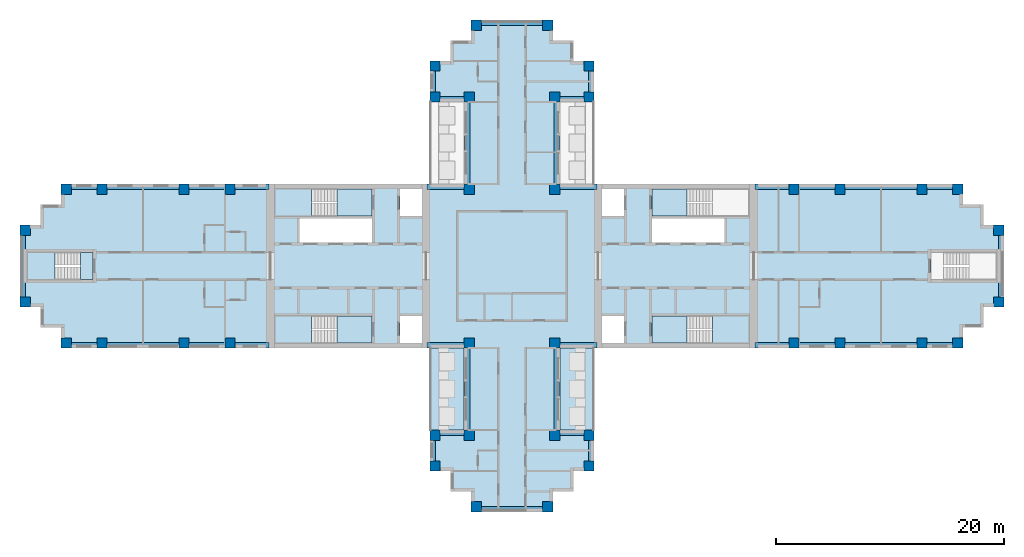
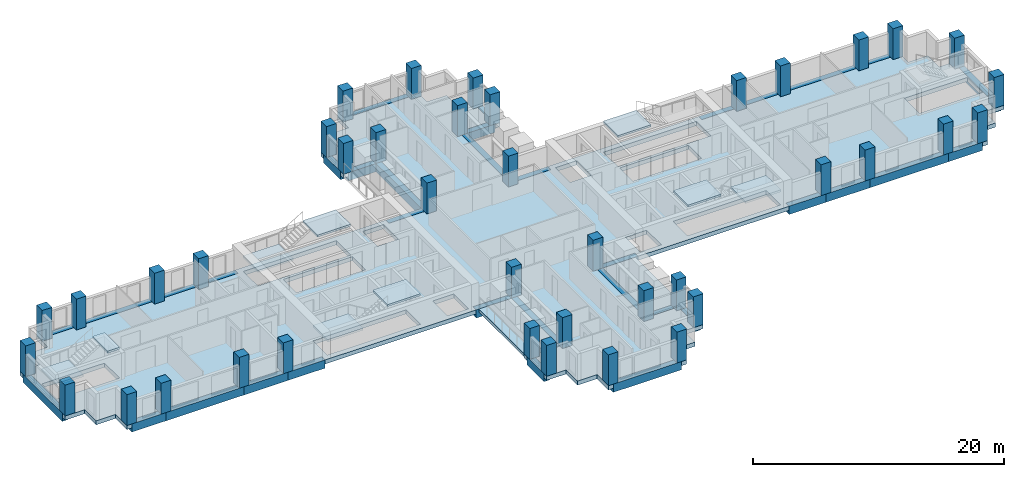
# One storey, part 1 of 11: 40 columns, 36 beams, 12 slabs, 5 elements without a shape of their own.
"""IFC4 building model written with IfcOpenShell, lengths in metres."""

import ifcopenshell
import ifcopenshell.guid

model = None  # the IFC model being written
_history = None  # IfcOwnerHistory: only IFC2X3 demands one
_inside = {}  # id of a spatial element -> (the spatial element, [elements in it])
_under = {}  # id of a project, library or spatial element -> (it, [spatial elements below it])
_declared = {}  # id of a project -> (the project, [libraries it declares])
_typed = {}  # id of a type object -> (the type object, [elements of that type])
_made_of = {}  # id of a material, layer set ... -> (it, [elements and type objects made of it])


def new_model(schema):
    """Start an empty IFC model of exactly this schema.

    Asked for "IFC4X3", IfcOpenShell would pick the latest addendum, in which some entities
    have other attributes; the version numbers below select the first issue.
    IFC2X3 requires an IfcOwnerHistory on every rooted entity: one is made here for all.
    """
    global model, _history
    if schema == "IFC4X3":
        model = ifcopenshell.file(schema_version=(4, 3, 0, 0))
    else:
        model = ifcopenshell.file(schema=schema)
    _inside.clear()
    _under.clear()
    _declared.clear()
    _typed.clear()
    _made_of.clear()
    _history = None
    if model.schema == "IFC2X3":
        org = make("IfcOrganization", Name="unknown")
        user = make(
            "IfcPersonAndOrganization",
            ThePerson=make("IfcPerson", FamilyName="unknown"),
            TheOrganization=org,
        )
        app = make(
            "IfcApplication",
            ApplicationDeveloper=org,
            Version="unknown",
            ApplicationFullName="unknown",
            ApplicationIdentifier="unknown",
        )
        _history = make(
            "IfcOwnerHistory",
            OwningUser=user,
            OwningApplication=app,
            ChangeAction="ADDED",
            CreationDate=0,
        )
    return model


def make(cls, **values):
    """One entity of the class cls with the attributes given. An attribute that is None is left unset."""
    return model.create_entity(
        cls, **{name: value for name, value in values.items() if value is not None}
    )


def rooted(cls, **values):
    """An entity with a GlobalId (a new one), such as an element, a storey or a relation."""
    return make(cls, GlobalId=ifcopenshell.guid.new(), OwnerHistory=_history, **values)


def si_unit(unit_type, name, prefix=None):
    """IfcSIUnit, for example si_unit("LENGTHUNIT", "METRE", prefix="MILLI")."""
    return make("IfcSIUnit", UnitType=unit_type, Prefix=prefix, Name=name)


def assignment(units):
    """IfcUnitAssignment: the units of a project."""
    return None if units is None else make("IfcUnitAssignment", Units=units)


def point(xyz):
    """IfcCartesianPoint."""
    return None if xyz is None else make("IfcCartesianPoint", Coordinates=xyz)


def direction(xyz):
    """IfcDirection."""
    return None if xyz is None else make("IfcDirection", DirectionRatios=xyz)


def frame(location, z_axis=None, x_axis=None):
    """IfcAxis2Placement3D, a coordinate frame: its origin and axes. An axis left out is left unset."""
    return make(
        "IfcAxis2Placement3D",
        Location=point(location),
        Axis=direction(z_axis),
        RefDirection=direction(x_axis),
    )


def frame_2d(location, x_axis=None):
    """IfcAxis2Placement2D, a coordinate frame in the plane: its origin and x axis."""
    return make(
        "IfcAxis2Placement2D", Location=point(location), RefDirection=direction(x_axis)
    )


def origin():
    """The frame at (0, 0, 0) with its axes left unset."""
    return frame((0.0, 0.0, 0.0))


def origin_2d():
    """The frame at (0, 0) in the plane with its x axis left unset."""
    return frame_2d((0.0, 0.0))


def place(relative_to, where):
    """IfcLocalPlacement: puts the frame where relative to a parent placement (None: the world)."""
    return make(
        "IfcLocalPlacement", PlacementRelTo=relative_to, RelativePlacement=where
    )


def context(
    kind, dimensions, precision=None, world=None, true_north=None, identifier=None
):
    """IfcGeometricRepresentationContext, for example the 3D "Model" context."""
    return make(
        "IfcGeometricRepresentationContext",
        ContextIdentifier=identifier,
        ContextType=kind,
        CoordinateSpaceDimension=dimensions,
        Precision=precision,
        WorldCoordinateSystem=world,
        TrueNorth=true_north,
    )


def subcontext(parent, identifier, kind, view, scale=None):
    """IfcGeometricRepresentationSubContext, for example "Body" below "Model"."""
    return make(
        "IfcGeometricRepresentationSubContext",
        ContextIdentifier=identifier,
        ContextType=kind,
        ParentContext=parent,
        TargetScale=scale,
        TargetView=view,
    )


def project(units=None, contexts=None):
    """IfcProject with its units and contexts."""
    return rooted(
        "IfcProject",
        Name="project",
        RepresentationContexts=contexts,
        UnitsInContext=assignment(units),
    )


def spatial(cls, under=None, at=None, **own):
    """A site, building, storey or space (cls), placed at a placement, below another one or the project."""
    s = rooted(cls, ObjectPlacement=at, **own)
    if under is not None:
        _under.setdefault(under.id(), (under, []))[1].append(s)
    return s


def polyline(points):
    """IfcPolyline through the points."""
    return make("IfcPolyline", Points=[point(p) for p in points])


def profile(cls, at=None, kind="AREA", **sizes):
    """A parametric profile (cls). Its sizes go by their IFC names, for example OverallWidth=200.0."""
    return make(cls, ProfileType=kind, Position=at, **sizes)


def rectangle(**sizes):
    """IfcRectangleProfileDef."""
    return profile("IfcRectangleProfileDef", **sizes)


def outline(outer, holes=None, kind="AREA"):
    """IfcArbitraryClosedProfileDef: a profile drawn as a closed curve; with holes, ...WithVoids."""
    if holes is None:
        return make("IfcArbitraryClosedProfileDef", ProfileType=kind, OuterCurve=outer)
    return make(
        "IfcArbitraryProfileDefWithVoids",
        ProfileType=kind,
        OuterCurve=outer,
        InnerCurves=holes,
    )


def extrude(swept, where, along, depth):
    """IfcExtrudedAreaSolid: the profile swept, set in the frame where, extruded along a direction by depth."""
    return make(
        "IfcExtrudedAreaSolid",
        SweptArea=swept,
        Position=where,
        ExtrudedDirection=direction(along),
        Depth=depth,
    )


def shape(context_of_items, identifier, shape_type, items):
    """IfcShapeRepresentation: the items that make up one representation, for example the "Body"."""
    return make(
        "IfcShapeRepresentation",
        ContextOfItems=context_of_items,
        RepresentationIdentifier=identifier,
        RepresentationType=shape_type,
        Items=items,
    )


def material(Name=None, Category=None):
    """IfcMaterial."""
    return make("IfcMaterial", Name=Name, Category=Category)


def layer(
    of_material, thickness, ventilated=None, Name=None, Category=None, Priority=None
):
    """IfcMaterialLayer: one layer of a wall or slab, of a material (None: an air gap)."""
    return make(
        "IfcMaterialLayer",
        Material=of_material,
        LayerThickness=thickness,
        IsVentilated=ventilated,
        Name=Name,
        Category=Category,
        Priority=Priority,
    )


def layer_set(layers, Name=None):
    """IfcMaterialLayerSet."""
    return make("IfcMaterialLayerSet", MaterialLayers=layers, LayerSetName=Name)


def material_profile(
    of_material, cross_section, Name=None, Category=None, Priority=None
):
    """IfcMaterialProfile: a cross section and its material."""
    return make(
        "IfcMaterialProfile",
        Name=Name,
        Material=of_material,
        Profile=cross_section,
        Priority=Priority,
        Category=Category,
    )


def profile_set(profiles, Name=None, composite=None):
    """IfcMaterialProfileSet."""
    return make(
        "IfcMaterialProfileSet",
        Name=Name,
        MaterialProfiles=profiles,
        CompositeProfile=composite,
    )


def made_of(thing, what):
    """Note that an element or type object is made of a material, layer set ...; save() writes the relation."""
    if what is not None:
        _made_of.setdefault(what.id(), (what, []))[1].append(thing)
    return thing


def type_object(cls, material=None, **own):
    """A type object (cls), such as IfcWallType, which elements share."""
    return made_of(rooted(cls, **own), material)


def element(
    cls,
    number,
    at=None,
    inside=None,
    cuts=None,
    type_object=None,
    material=None,
    context=None,
    identifier="Body",
    shape_type=None,
    held_by="IfcProductDefinitionShape",
    body=None,
    shapes=None,
    **own,
):
    """One element of the class cls, such as IfcWall. Its Tag is "e" and its number.

    at: its placement. inside: the storey or other place that contains it. cuts: it is an
    opening in that element (IfcRelVoidsElement). A single representation is given by context,
    identifier, shape_type and body (its items); several are given by shapes. held_by: the class
    of the entity that holds the representations. save() writes the other relations.
    """
    e = rooted(cls, Tag="e%d" % number, ObjectPlacement=at, **own)
    if body is not None:
        shapes = [shape(context, identifier, shape_type, body)]
    if shapes is not None:
        e.Representation = make(held_by, Representations=shapes)
    if inside is not None:
        _inside.setdefault(inside.id(), (inside, []))[1].append(e)
    if cuts is not None:
        rooted(
            "IfcRelVoidsElement", RelatingBuildingElement=cuts, RelatedOpeningElement=e
        )
    if type_object is not None:
        _typed.setdefault(type_object.id(), (type_object, []))[1].append(e)
    return made_of(e, material)


def aggregate(whole, parts):
    """IfcRelAggregates: a whole, such as a stair, and the parts it consists of."""
    return rooted("IfcRelAggregates", RelatingObject=whole, RelatedObjects=parts)


def save(model, path):
    """Write the relations noted so far, then the file.

    IfcRelAggregates (storeys below a building ...), IfcRelContainedInSpatialStructure (elements
    in a storey), IfcRelDefinesByType, IfcRelAssociatesMaterial and IfcRelDeclares: one each for
    every whole, place, type object, material and project.
    """
    for whole, parts in _under.values():
        aggregate(whole, parts)
    for where, things in _inside.values():
        rooted(
            "IfcRelContainedInSpatialStructure",
            RelatedElements=things,
            RelatingStructure=where,
        )
    for kind, things in _typed.values():
        rooted("IfcRelDefinesByType", RelatedObjects=things, RelatingType=kind)
    for what, things in _made_of.values():
        rooted("IfcRelAssociatesMaterial", RelatedObjects=things, RelatingMaterial=what)
    for by, libraries in _declared.values():
        rooted("IfcRelDeclares", RelatingContext=by, RelatedDefinitions=libraries)
    model.write(path)


model = new_model("IFC4")

# Units and contexts
model_context = context("Model", 3, precision=1e-05, world=origin(), true_north=direction((0.0, 1.0)))
body_context = subcontext(model_context, "Body", "Model", "MODEL_VIEW")
ifc_project = project(units=[si_unit("LENGTHUNIT", "METRE"), si_unit("AREAUNIT", "SQUARE_METRE"), si_unit("VOLUMEUNIT", "CUBIC_METRE"), si_unit("PLANEANGLEUNIT", "RADIAN"), si_unit("MASSUNIT", "GRAM", prefix="KILO")], contexts=[model_context])

# Site, building, storey
site_placement = place(None, origin())
site = spatial("IfcSite", under=ifc_project, at=site_placement, CompositionType="ELEMENT")
building_placement = place(site_placement, origin())
building = spatial("IfcBuilding", under=site, at=building_placement, Name="Fustian Cross Tower", CompositionType="ELEMENT")
storey_placement = place(building_placement, frame((0.0, 0.0, 126.300048828125)))
storey = spatial("IfcBuildingStorey", under=building, at=storey_placement, Name="L39", CompositionType="ELEMENT", Elevation=126.300048828125)

# Columns
ifc_material_1 = material(Name="Concrete C50/60", Category="concrete")
ifc_material_profile_1 = material_profile(ifc_material_1, rectangle(XDim=0.89990234375, YDim=0.89990234375, at=origin_2d()), Name="RC 900x900")
ifc_profile_set_1 = profile_set([ifc_material_profile_1], Name="Concrete C50/60")
column_type = type_object("IfcColumnType", Name="COLUMN RC 900x900 C50/60", PredefinedType="COLUMN", material=ifc_profile_set_1)
for number, where, z_axis, x_axis, name in (
    (1, (-42.75, -3.14990234375, 0.0), (0.0, 0.0, 1.0), (1.0, 0.0, 0.0), "COLUMN 001"),
    (2, (-42.75, 3.14990234375, 0.0), (0.0, 0.0, 1.0), (1.0, 0.0, 0.0), "COLUMN 002"),
    (3, (-39.14990234375, -6.75, 0.0), (0.0, 0.0, 1.0), (1.0, 0.0, 0.0), "COLUMN 003"),
    (4, (-39.14990234375, 6.75, 0.0), (0.0, 0.0, 1.0), (1.0, 0.0, 0.0), "COLUMN 004"),
    (5, (-36.0, -6.75, 0.0), (0.0, 0.0, 1.0), (1.0, 0.0, 0.0), "COLUMN 005"),
    (6, (-36.0, 6.75, 0.0), (0.0, 0.0, 1.0), (1.0, 0.0, 0.0), "COLUMN 006"),
    (7, (-28.800048828125, -6.75, 0.0), (0.0, 0.0, 1.0), (1.0, 0.0, 0.0), "COLUMN 007"),
    (8, (-28.800048828125, 6.75, 0.0), (0.0, 0.0, 1.0), (1.0, 0.0, 0.0), "COLUMN 010"),
    (9, (-24.75, -6.75, 0.0), (0.0, 0.0, 1.0), (1.0, 0.0, 0.0), "COLUMN 011"),
    (10, (-24.75, 6.75, 0.0), (0.0, 0.0, 1.0), (1.0, 0.0, 0.0), "COLUMN 012"),
    (11, (-6.75, -17.550048828125, 0.0), (0.0, 0.0, 1.0), (1.0, 0.0, 0.0), "COLUMN 017"),
    (12, (-6.75, -14.85009765625, 0.0), (0.0, 0.0, 1.0), (1.0, 0.0, 0.0), "COLUMN 018"),
    (13, (-6.75, 14.85009765625, 0.0), (0.0, 0.0, 1.0), (1.0, 0.0, 0.0), "COLUMN 019"),
    (14, (-6.75, 17.550048828125, 0.0), (0.0, 0.0, 1.0), (1.0, 0.0, 0.0), "COLUMN 020"),
    (15, (-3.75, -14.85009765625, 0.0), (0.0, 0.0, 1.0), (1.0, 0.0, 0.0), "COLUMN 025"),
    (16, (-3.75, -6.75, 0.0), (0.0, 0.0, 1.0), (1.0, 0.0, 0.0), "COLUMN 026"),
    (17, (-3.75, 6.75, 0.0), (0.0, 0.0, 1.0), (1.0, 0.0, 0.0), "COLUMN 027"),
    (18, (-3.75, 14.85009765625, 0.0), (0.0, 0.0, 1.0), (1.0, 0.0, 0.0), "COLUMN 028"),
    (19, (-3.14990234375, -21.14990234375, 0.0), (0.0, 0.0, 1.0), (1.0, 0.0, 0.0), "COLUMN 030"),
    (20, (-3.14990234375, 21.14990234375, 0.0), (0.0, 0.0, 1.0), (1.0, 0.0, 0.0), "COLUMN 031"),
    (21, (3.14990234375, -21.14990234375, 0.0), (0.0, 0.0, 1.0), (1.0, 0.0, 0.0), "COLUMN 034"),
    (22, (3.14990234375, 21.14990234375, 0.0), (0.0, 0.0, 1.0), (1.0, 0.0, 0.0), "COLUMN 035"),
    (23, (3.75, -14.85009765625, 0.0), (0.0, 0.0, 1.0), (1.0, 0.0, 0.0), "COLUMN 037"),
    (24, (3.75, -6.75, 0.0), (0.0, 0.0, 1.0), (1.0, 0.0, 0.0), "COLUMN 038"),
    (25, (3.75, 6.75, 0.0), (0.0, 0.0, 1.0), (1.0, 0.0, 0.0), "COLUMN 039"),
    (26, (3.75, 14.85009765625, 0.0), (0.0, 0.0, 1.0), (1.0, 0.0, 0.0), "COLUMN 040"),
    (27, (6.75, -17.550048828125, 0.0), (0.0, 0.0, 1.0), (1.0, 0.0, 0.0), "COLUMN 045"),
    (28, (6.75, -14.85009765625, 0.0), (0.0, 0.0, 1.0), (1.0, 0.0, 0.0), "COLUMN 046"),
    (29, (6.75, 14.85009765625, 0.0), (0.0, 0.0, 1.0), (1.0, 0.0, 0.0), "COLUMN 047"),
    (30, (6.75, 17.550048828125, 0.0), (0.0, 0.0, 1.0), (1.0, 0.0, 0.0), "COLUMN 048"),
    (31, (24.75, -6.75, 0.0), (0.0, 0.0, 1.0), (1.0, 0.0, 0.0), "COLUMN 053"),
    (32, (24.75, 6.75, 0.0), (0.0, 0.0, 1.0), (1.0, 0.0, 0.0), "COLUMN 054"),
    (33, (28.800048828125, -6.75, 0.0), (0.0, 0.0, 1.0), (1.0, 0.0, 0.0), "COLUMN 055"),
    (34, (28.800048828125, 6.75, 0.0), (0.0, 0.0, 1.0), (1.0, 0.0, 0.0), "COLUMN 058"),
    (35, (36.0, -6.75, 0.0), (0.0, 0.0, 1.0), (1.0, 0.0, 0.0), "COLUMN 059"),
    (36, (36.0, 6.75, 0.0), (0.0, 0.0, 1.0), (1.0, 0.0, 0.0), "COLUMN 060"),
    (37, (39.14990234375, -6.75, 0.0), (0.0, 0.0, 1.0), (1.0, 0.0, 0.0), "COLUMN 061"),
    (38, (39.14990234375, 6.75, 0.0), (0.0, 0.0, 1.0), (1.0, 0.0, 0.0), "COLUMN 062"),
    (39, (42.75, -3.14990234375, 0.0), (0.0, 0.0, 1.0), (1.0, 0.0, 0.0), "COLUMN 063"),
    (40, (42.75, 3.14990234375, 0.0), (0.0, 0.0, 1.0), (1.0, 0.0, 0.0), "COLUMN 064"),
):
    element("IfcColumn", number, at=place(storey_placement, frame(where, z_axis=z_axis, x_axis=x_axis)), inside=storey, type_object=column_type, Name=name, PredefinedType="COLUMN", context=body_context, shape_type="SweptSolid", body=[
        extrude(rectangle(XDim=0.89990234375, YDim=0.89990234375, at=origin_2d()), origin(), (0.0, 0.0, 1.0), 3.0),
    ])

# Beams
ifc_material_2 = material(Name="Concrete C50/60", Category="concrete")
ifc_material_profile_2 = material_profile(ifc_material_2, rectangle(XDim=0.5, YDim=0.800048828125, at=origin_2d()), Name="RC 500x800")
ifc_profile_set_2 = profile_set([ifc_material_profile_2], Name="Concrete C50/60")
beam_type = type_object("IfcBeamType", Name="EDGE BEAM RC 500x800 C50/60", PredefinedType="SPANDREL", material=ifc_profile_set_2)
beam_1_placement = place(storey_placement, frame((21.35009765625, -6.949951171875, -0.400146484375), z_axis=(1.0, 0.0, 0.0), x_axis=(0.0, 1.0, 0.0)))
element("IfcBeam", 41, at=beam_1_placement, inside=storey, type_object=beam_type, Name="EDGE BEAM L39-01", PredefinedType="SPANDREL", context=body_context, shape_type="SweptSolid", body=[
    extrude(rectangle(XDim=0.5, YDim=0.800048828125, at=origin_2d()), origin(), (0.0, 0.0, 1.0), 3.39990234375),
])
beam_2_placement = place(storey_placement, frame((24.75, -6.949951171875, -0.400146484375), z_axis=(1.0, 0.0, 0.0), x_axis=(0.0, 1.0, 0.0)))
element("IfcBeam", 42, at=beam_2_placement, inside=storey, type_object=beam_type, Name="EDGE BEAM L39-02", PredefinedType="SPANDREL", context=body_context, shape_type="SweptSolid", body=[
    extrude(rectangle(XDim=0.5, YDim=0.800048828125, at=origin_2d()), origin(), (0.0, 0.0, 1.0), 4.050048828125),
])
beam_3_placement = place(storey_placement, frame((28.800048828125, -6.949951171875, -0.400146484375), z_axis=(1.0, 0.0, 0.0), x_axis=(0.0, 1.0, 0.0)))
element("IfcBeam", 43, at=beam_3_placement, inside=storey, type_object=beam_type, Name="EDGE BEAM L39-03", PredefinedType="SPANDREL", context=body_context, shape_type="SweptSolid", body=[
    extrude(rectangle(XDim=0.5, YDim=0.800048828125, at=origin_2d()), origin(), (0.0, 0.0, 1.0), 7.199951171875),
])
beam_4_placement = place(storey_placement, frame((36.0, -6.949951171875, -0.400146484375), z_axis=(1.0, 0.0, 0.0), x_axis=(0.0, 1.0, 0.0)))
element("IfcBeam", 44, at=beam_4_placement, inside=storey, type_object=beam_type, Name="EDGE BEAM L39-04", PredefinedType="SPANDREL", context=body_context, shape_type="SweptSolid", body=[
    extrude(rectangle(XDim=0.5, YDim=0.800048828125, at=origin_2d()), origin(), (0.0, 0.0, 1.0), 3.14990234375),
])
beam_5_placement = place(storey_placement, frame((42.949951171875, -3.14990234375, -0.400146484375), z_axis=(0.0, 1.0, 0.0), x_axis=(-1.0, 0.0, 0.0)))
element("IfcBeam", 45, at=beam_5_placement, inside=storey, type_object=beam_type, Name="EDGE BEAM L39-05", PredefinedType="SPANDREL", context=body_context, shape_type="SweptSolid", body=[
    extrude(rectangle(XDim=0.5, YDim=0.800048828125, at=origin_2d()), origin(), (0.0, 0.0, 1.0), 6.2998046875),
])
beam_6_placement = place(storey_placement, frame((39.14990234375, 6.949951171875, -0.400146484375), z_axis=(-1.0, 0.0, 0.0), x_axis=(0.0, -1.0, 0.0)))
element("IfcBeam", 46, at=beam_6_placement, inside=storey, type_object=beam_type, Name="EDGE BEAM L39-06", PredefinedType="SPANDREL", context=body_context, shape_type="SweptSolid", body=[
    extrude(rectangle(XDim=0.5, YDim=0.800048828125, at=origin_2d()), origin(), (0.0, 0.0, 1.0), 3.14990234375),
])
beam_7_placement = place(storey_placement, frame((36.0, 6.949951171875, -0.400146484375), z_axis=(-1.0, 0.0, 0.0), x_axis=(0.0, -1.0, 0.0)))
element("IfcBeam", 47, at=beam_7_placement, inside=storey, type_object=beam_type, Name="EDGE BEAM L39-07", PredefinedType="SPANDREL", context=body_context, shape_type="SweptSolid", body=[
    extrude(rectangle(XDim=0.5, YDim=0.800048828125, at=origin_2d()), origin(), (0.0, 0.0, 1.0), 7.199951171875),
])
beam_8_placement = place(storey_placement, frame((28.800048828125, 6.949951171875, -0.400146484375), z_axis=(-1.0, 0.0, 0.0), x_axis=(0.0, -1.0, 0.0)))
element("IfcBeam", 48, at=beam_8_placement, inside=storey, type_object=beam_type, Name="EDGE BEAM L39-08", PredefinedType="SPANDREL", context=body_context, shape_type="SweptSolid", body=[
    extrude(rectangle(XDim=0.5, YDim=0.800048828125, at=origin_2d()), origin(), (0.0, 0.0, 1.0), 4.050048828125),
])
beam_9_placement = place(storey_placement, frame((24.75, 6.949951171875, -0.400146484375), z_axis=(-1.0, 0.0, 0.0), x_axis=(0.0, -1.0, 0.0)))
element("IfcBeam", 49, at=beam_9_placement, inside=storey, type_object=beam_type, Name="EDGE BEAM L39-09", PredefinedType="SPANDREL", context=body_context, shape_type="SweptSolid", body=[
    extrude(rectangle(XDim=0.5, YDim=0.800048828125, at=origin_2d()), origin(), (0.0, 0.0, 1.0), 3.39990234375),
])
beam_10_placement = place(storey_placement, frame((7.449951171875, 6.949951171875, -0.400146484375), z_axis=(-1.0, 0.0, 0.0), x_axis=(0.0, -1.0, 0.0)))
element("IfcBeam", 50, at=beam_10_placement, inside=storey, type_object=beam_type, Name="EDGE BEAM L39-10", PredefinedType="SPANDREL", context=body_context, shape_type="SweptSolid", body=[
    extrude(rectangle(XDim=0.5, YDim=0.800048828125, at=origin_2d()), origin(), (0.0, 0.0, 1.0), 3.699951171875),
])
beam_11_placement = place(storey_placement, frame((3.949951171875, 6.75, -0.400146484375), z_axis=(0.0, 1.0, 0.0), x_axis=(-1.0, 0.0, 0.0)))
element("IfcBeam", 51, at=beam_11_placement, inside=storey, type_object=beam_type, Name="EDGE BEAM L39-11", PredefinedType="SPANDREL", context=body_context, shape_type="SweptSolid", body=[
    extrude(rectangle(XDim=0.5, YDim=0.800048828125, at=origin_2d()), origin(), (0.0, 0.0, 1.0), 8.10009765625),
])
beam_12_placement = place(storey_placement, frame((3.75, 14.64990234375, -0.400146484375), z_axis=(1.0, 0.0, 0.0), x_axis=(0.0, 1.0, 0.0)))
element("IfcBeam", 52, at=beam_12_placement, inside=storey, type_object=beam_type, Name="EDGE BEAM L39-12", PredefinedType="SPANDREL", context=body_context, shape_type="SweptSolid", body=[
    extrude(rectangle(XDim=0.5, YDim=0.800048828125, at=origin_2d()), origin(), (0.0, 0.0, 1.0), 3.0),
])
beam_13_placement = place(storey_placement, frame((6.949951171875, 14.85009765625, -0.400146484375), z_axis=(0.0, 1.0, 0.0), x_axis=(-1.0, 0.0, 0.0)))
element("IfcBeam", 53, at=beam_13_placement, inside=storey, type_object=beam_type, Name="EDGE BEAM L39-13", PredefinedType="SPANDREL", context=body_context, shape_type="SweptSolid", body=[
    extrude(rectangle(XDim=0.5, YDim=0.800048828125, at=origin_2d()), origin(), (0.0, 0.0, 1.0), 2.699951171875),
])
beam_14_placement = place(storey_placement, frame((3.14990234375, 21.35009765625, -0.400146484375), z_axis=(-1.0, 0.0, 0.0), x_axis=(0.0, -1.0, 0.0)))
element("IfcBeam", 54, at=beam_14_placement, inside=storey, type_object=beam_type, Name="EDGE BEAM L39-14", PredefinedType="SPANDREL", context=body_context, shape_type="SweptSolid", body=[
    extrude(rectangle(XDim=0.5, YDim=0.800048828125, at=origin_2d()), origin(), (0.0, 0.0, 1.0), 6.2998046875),
])
beam_15_placement = place(storey_placement, frame((-6.949951171875, 17.550048828125, -0.400146484375), z_axis=(0.0, -1.0, 0.0), x_axis=(1.0, 0.0, 0.0)))
element("IfcBeam", 55, at=beam_15_placement, inside=storey, type_object=beam_type, Name="EDGE BEAM L39-15", PredefinedType="SPANDREL", context=body_context, shape_type="SweptSolid", body=[
    extrude(rectangle(XDim=0.5, YDim=0.800048828125, at=origin_2d()), origin(), (0.0, 0.0, 1.0), 2.699951171875),
])
beam_16_placement = place(storey_placement, frame((-6.75, 14.64990234375, -0.400146484375), z_axis=(1.0, 0.0, 0.0), x_axis=(0.0, 1.0, 0.0)))
element("IfcBeam", 56, at=beam_16_placement, inside=storey, type_object=beam_type, Name="EDGE BEAM L39-16", PredefinedType="SPANDREL", context=body_context, shape_type="SweptSolid", body=[
    extrude(rectangle(XDim=0.5, YDim=0.800048828125, at=origin_2d()), origin(), (0.0, 0.0, 1.0), 3.0),
])
beam_17_placement = place(storey_placement, frame((-3.949951171875, 14.85009765625, -0.400146484375), z_axis=(0.0, -1.0, 0.0), x_axis=(1.0, 0.0, 0.0)))
element("IfcBeam", 57, at=beam_17_placement, inside=storey, type_object=beam_type, Name="EDGE BEAM L39-17", PredefinedType="SPANDREL", context=body_context, shape_type="SweptSolid", body=[
    extrude(rectangle(XDim=0.5, YDim=0.800048828125, at=origin_2d()), origin(), (0.0, 0.0, 1.0), 8.10009765625),
])
beam_18_placement = place(storey_placement, frame((-3.75, 6.949951171875, -0.400146484375), z_axis=(-1.0, 0.0, 0.0), x_axis=(0.0, -1.0, 0.0)))
element("IfcBeam", 58, at=beam_18_placement, inside=storey, type_object=beam_type, Name="EDGE BEAM L39-18", PredefinedType="SPANDREL", context=body_context, shape_type="SweptSolid", body=[
    extrude(rectangle(XDim=0.5, YDim=0.800048828125, at=origin_2d()), origin(), (0.0, 0.0, 1.0), 3.699951171875),
])
beam_19_placement = place(storey_placement, frame((-21.35009765625, 6.949951171875, -0.400146484375), z_axis=(-1.0, 0.0, 0.0), x_axis=(0.0, -1.0, 0.0)))
element("IfcBeam", 59, at=beam_19_placement, inside=storey, type_object=beam_type, Name="EDGE BEAM L39-19", PredefinedType="SPANDREL", context=body_context, shape_type="SweptSolid", body=[
    extrude(rectangle(XDim=0.5, YDim=0.800048828125, at=origin_2d()), origin(), (0.0, 0.0, 1.0), 3.39990234375),
])
beam_20_placement = place(storey_placement, frame((-24.75, 6.949951171875, -0.400146484375), z_axis=(-1.0, 0.0, 0.0), x_axis=(0.0, -1.0, 0.0)))
element("IfcBeam", 60, at=beam_20_placement, inside=storey, type_object=beam_type, Name="EDGE BEAM L39-20", PredefinedType="SPANDREL", context=body_context, shape_type="SweptSolid", body=[
    extrude(rectangle(XDim=0.5, YDim=0.800048828125, at=origin_2d()), origin(), (0.0, 0.0, 1.0), 4.050048828125),
])
beam_21_placement = place(storey_placement, frame((-28.800048828125, 6.949951171875, -0.400146484375), z_axis=(-1.0, 0.0, 0.0), x_axis=(0.0, -1.0, 0.0)))
element("IfcBeam", 61, at=beam_21_placement, inside=storey, type_object=beam_type, Name="EDGE BEAM L39-21", PredefinedType="SPANDREL", context=body_context, shape_type="SweptSolid", body=[
    extrude(rectangle(XDim=0.5, YDim=0.800048828125, at=origin_2d()), origin(), (0.0, 0.0, 1.0), 7.199951171875),
])
beam_22_placement = place(storey_placement, frame((-36.0, 6.949951171875, -0.400146484375), z_axis=(-1.0, 0.0, 0.0), x_axis=(0.0, -1.0, 0.0)))
element("IfcBeam", 62, at=beam_22_placement, inside=storey, type_object=beam_type, Name="EDGE BEAM L39-22", PredefinedType="SPANDREL", context=body_context, shape_type="SweptSolid", body=[
    extrude(rectangle(XDim=0.5, YDim=0.800048828125, at=origin_2d()), origin(), (0.0, 0.0, 1.0), 3.14990234375),
])
beam_23_placement = place(storey_placement, frame((-42.949951171875, 3.14990234375, -0.400146484375), z_axis=(0.0, -1.0, 0.0), x_axis=(1.0, 0.0, 0.0)))
element("IfcBeam", 63, at=beam_23_placement, inside=storey, type_object=beam_type, Name="EDGE BEAM L39-23", PredefinedType="SPANDREL", context=body_context, shape_type="SweptSolid", body=[
    extrude(rectangle(XDim=0.5, YDim=0.800048828125, at=origin_2d()), origin(), (0.0, 0.0, 1.0), 6.2998046875),
])
beam_24_placement = place(storey_placement, frame((-39.14990234375, -6.949951171875, -0.400146484375), z_axis=(1.0, 0.0, 0.0), x_axis=(0.0, 1.0, 0.0)))
element("IfcBeam", 64, at=beam_24_placement, inside=storey, type_object=beam_type, Name="EDGE BEAM L39-24", PredefinedType="SPANDREL", context=body_context, shape_type="SweptSolid", body=[
    extrude(rectangle(XDim=0.5, YDim=0.800048828125, at=origin_2d()), origin(), (0.0, 0.0, 1.0), 3.14990234375),
])
beam_25_placement = place(storey_placement, frame((-36.0, -6.949951171875, -0.400146484375), z_axis=(1.0, 0.0, 0.0), x_axis=(0.0, 1.0, 0.0)))
element("IfcBeam", 65, at=beam_25_placement, inside=storey, type_object=beam_type, Name="EDGE BEAM L39-25", PredefinedType="SPANDREL", context=body_context, shape_type="SweptSolid", body=[
    extrude(rectangle(XDim=0.5, YDim=0.800048828125, at=origin_2d()), origin(), (0.0, 0.0, 1.0), 7.199951171875),
])
beam_26_placement = place(storey_placement, frame((-28.800048828125, -6.949951171875, -0.400146484375), z_axis=(1.0, 0.0, 0.0), x_axis=(0.0, 1.0, 0.0)))
element("IfcBeam", 66, at=beam_26_placement, inside=storey, type_object=beam_type, Name="EDGE BEAM L39-26", PredefinedType="SPANDREL", context=body_context, shape_type="SweptSolid", body=[
    extrude(rectangle(XDim=0.5, YDim=0.800048828125, at=origin_2d()), origin(), (0.0, 0.0, 1.0), 4.050048828125),
])
beam_27_placement = place(storey_placement, frame((-24.75, -6.949951171875, -0.400146484375), z_axis=(1.0, 0.0, 0.0), x_axis=(0.0, 1.0, 0.0)))
element("IfcBeam", 67, at=beam_27_placement, inside=storey, type_object=beam_type, Name="EDGE BEAM L39-27", PredefinedType="SPANDREL", context=body_context, shape_type="SweptSolid", body=[
    extrude(rectangle(XDim=0.5, YDim=0.800048828125, at=origin_2d()), origin(), (0.0, 0.0, 1.0), 3.39990234375),
])
beam_28_placement = place(storey_placement, frame((-7.449951171875, -6.949951171875, -0.400146484375), z_axis=(1.0, 0.0, 0.0), x_axis=(0.0, 1.0, 0.0)))
element("IfcBeam", 68, at=beam_28_placement, inside=storey, type_object=beam_type, Name="EDGE BEAM L39-28", PredefinedType="SPANDREL", context=body_context, shape_type="SweptSolid", body=[
    extrude(rectangle(XDim=0.5, YDim=0.800048828125, at=origin_2d()), origin(), (0.0, 0.0, 1.0), 3.699951171875),
])
beam_29_placement = place(storey_placement, frame((-3.949951171875, -6.75, -0.400146484375), z_axis=(0.0, -1.0, 0.0), x_axis=(1.0, 0.0, 0.0)))
element("IfcBeam", 69, at=beam_29_placement, inside=storey, type_object=beam_type, Name="EDGE BEAM L39-29", PredefinedType="SPANDREL", context=body_context, shape_type="SweptSolid", body=[
    extrude(rectangle(XDim=0.5, YDim=0.800048828125, at=origin_2d()), origin(), (0.0, 0.0, 1.0), 8.10009765625),
])
beam_30_placement = place(storey_placement, frame((-3.75, -14.64990234375, -0.400146484375), z_axis=(-1.0, 0.0, 0.0), x_axis=(0.0, -1.0, 0.0)))
element("IfcBeam", 70, at=beam_30_placement, inside=storey, type_object=beam_type, Name="EDGE BEAM L39-30", PredefinedType="SPANDREL", context=body_context, shape_type="SweptSolid", body=[
    extrude(rectangle(XDim=0.5, YDim=0.800048828125, at=origin_2d()), origin(), (0.0, 0.0, 1.0), 3.0),
])
beam_31_placement = place(storey_placement, frame((-6.949951171875, -14.85009765625, -0.400146484375), z_axis=(0.0, -1.0, 0.0), x_axis=(1.0, 0.0, 0.0)))
element("IfcBeam", 71, at=beam_31_placement, inside=storey, type_object=beam_type, Name="EDGE BEAM L39-31", PredefinedType="SPANDREL", context=body_context, shape_type="SweptSolid", body=[
    extrude(rectangle(XDim=0.5, YDim=0.800048828125, at=origin_2d()), origin(), (0.0, 0.0, 1.0), 2.699951171875),
])
beam_32_placement = place(storey_placement, frame((-3.14990234375, -21.35009765625, -0.400146484375), z_axis=(1.0, 0.0, 0.0), x_axis=(0.0, 1.0, 0.0)))
element("IfcBeam", 72, at=beam_32_placement, inside=storey, type_object=beam_type, Name="EDGE BEAM L39-32", PredefinedType="SPANDREL", context=body_context, shape_type="SweptSolid", body=[
    extrude(rectangle(XDim=0.5, YDim=0.800048828125, at=origin_2d()), origin(), (0.0, 0.0, 1.0), 6.2998046875),
])
beam_33_placement = place(storey_placement, frame((6.949951171875, -17.550048828125, -0.400146484375), z_axis=(0.0, 1.0, 0.0), x_axis=(-1.0, 0.0, 0.0)))
element("IfcBeam", 73, at=beam_33_placement, inside=storey, type_object=beam_type, Name="EDGE BEAM L39-33", PredefinedType="SPANDREL", context=body_context, shape_type="SweptSolid", body=[
    extrude(rectangle(XDim=0.5, YDim=0.800048828125, at=origin_2d()), origin(), (0.0, 0.0, 1.0), 2.699951171875),
])
beam_34_placement = place(storey_placement, frame((6.75, -14.64990234375, -0.400146484375), z_axis=(-1.0, 0.0, 0.0), x_axis=(0.0, -1.0, 0.0)))
element("IfcBeam", 74, at=beam_34_placement, inside=storey, type_object=beam_type, Name="EDGE BEAM L39-34", PredefinedType="SPANDREL", context=body_context, shape_type="SweptSolid", body=[
    extrude(rectangle(XDim=0.5, YDim=0.800048828125, at=origin_2d()), origin(), (0.0, 0.0, 1.0), 3.0),
])
beam_35_placement = place(storey_placement, frame((3.949951171875, -14.85009765625, -0.400146484375), z_axis=(0.0, 1.0, 0.0), x_axis=(-1.0, 0.0, 0.0)))
element("IfcBeam", 75, at=beam_35_placement, inside=storey, type_object=beam_type, Name="EDGE BEAM L39-35", PredefinedType="SPANDREL", context=body_context, shape_type="SweptSolid", body=[
    extrude(rectangle(XDim=0.5, YDim=0.800048828125, at=origin_2d()), origin(), (0.0, 0.0, 1.0), 8.10009765625),
])
beam_36_placement = place(storey_placement, frame((3.75, -6.949951171875, -0.400146484375), z_axis=(1.0, 0.0, 0.0), x_axis=(0.0, 1.0, 0.0)))
element("IfcBeam", 76, at=beam_36_placement, inside=storey, type_object=beam_type, Name="EDGE BEAM L39-36", PredefinedType="SPANDREL", context=body_context, shape_type="SweptSolid", body=[
    extrude(rectangle(XDim=0.5, YDim=0.800048828125, at=origin_2d()), origin(), (0.0, 0.0, 1.0), 3.699951171875),
])

# Slabs
ifc_material_3 = material(Name="Concrete C40/50", Category="concrete")
ifc_layer_1 = layer(ifc_material_3, 0.300048828125)
ifc_layer_set_1 = layer_set([ifc_layer_1], Name="Concrete C40/50")
slab_type_1 = type_object("IfcSlabType", Name="BS1 BALCONY SLAB 300", PredefinedType="FLOOR", material=ifc_layer_set_1)
slab_1_placement = place(storey_placement, frame((0.0, 0.0, -0.300048828125)))
element("IfcSlab", 77, at=slab_1_placement, inside=storey, type_object=slab_type_1, Name="Balcony slab", PredefinedType="FLOOR", context=body_context, shape_type="SweptSolid", body=[
    extrude(outline(polyline([(4.199951171875, -14.39990234375), (7.199951171875, -14.39990234375), (7.199951171875, -7.199951171875), (4.199951171875, -7.199951171875), (4.199951171875, -14.39990234375)])), origin(), (0.0, 0.0, 1.0), 0.300048828125),
])
slab_2_placement = place(storey_placement, frame((0.0, 0.0, -0.300048828125)))
element("IfcSlab", 78, at=slab_2_placement, inside=storey, type_object=slab_type_1, Name="Balcony slab", PredefinedType="FLOOR", context=body_context, shape_type="SweptSolid", body=[
    extrude(outline(polyline([(-7.199951171875, -14.39990234375), (-4.199951171875, -14.39990234375), (-4.199951171875, -7.199951171875), (-7.199951171875, -7.199951171875), (-7.199951171875, -14.39990234375)])), origin(), (0.0, 0.0, 1.0), 0.300048828125),
])
ifc_material_4 = material(Name="Concrete C40/50", Category="concrete")
ifc_layer_2 = layer(ifc_material_4, 0.39990234375)
ifc_layer_set_2 = layer_set([ifc_layer_2], Name="Concrete C40/50")
slab_type_2 = type_object("IfcSlabType", Name="FLAT SLAB 400", PredefinedType="FLOOR", material=ifc_layer_set_2)
slab_3_placement = place(storey_placement, frame((0.0, 0.0, -0.400146484375)))
element("IfcSlab", 79, at=slab_3_placement, inside=storey, type_object=slab_type_2, Name="FLOOR SLAB L39-1", PredefinedType="FLOOR", context=body_context, shape_type="SweptSolid", body=[
    extrude(outline(polyline([(-5.39990234375, -18.0), (-7.199951171875, -18.0), (-7.199951171875, -14.39990234375), (-4.199951171875, -14.39990234375), (-4.199951171875, -7.199951171875), (-39.60009765625, -7.199951171875), (-39.60009765625, -5.39990234375), (-41.39990234375, -5.39990234375), (-41.39990234375, -3.60009765625), (-43.199951171875, -3.60009765625), (-43.199951171875, 3.60009765625), (-41.39990234375, 3.60009765625), (-41.39990234375, 5.39990234375), (-39.60009765625, 5.39990234375), (-39.60009765625, 7.199951171875), (-4.199951171875, 7.199951171875), (-4.199951171875, 14.39990234375), (-7.199951171875, 14.39990234375), (-7.199951171875, 18.0), (-5.39990234375, 18.0), (-5.39990234375, 19.800048828125), (-3.60009765625, 19.800048828125), (-3.60009765625, 21.60009765625), (3.60009765625, 21.60009765625), (3.60009765625, 19.800048828125), (5.39990234375, 19.800048828125), (5.39990234375, 18.0), (7.199951171875, 18.0), (7.199951171875, 14.39990234375), (4.199951171875, 14.39990234375), (4.199951171875, 7.199951171875), (39.60009765625, 7.199951171875), (39.60009765625, 5.39990234375), (41.39990234375, 5.39990234375), (41.39990234375, 3.60009765625), (43.199951171875, 3.60009765625), (43.199951171875, -3.60009765625), (41.39990234375, -3.60009765625), (41.39990234375, -5.39990234375), (39.60009765625, -5.39990234375), (39.60009765625, -7.199951171875), (4.199951171875, -7.199951171875), (4.199951171875, -14.39990234375), (7.199951171875, -14.39990234375), (7.199951171875, -18.0), (5.39990234375, -18.0), (5.39990234375, -19.800048828125), (3.60009765625, -19.800048828125), (3.60009765625, -21.60009765625), (-3.60009765625, -21.60009765625), (-3.60009765625, -19.800048828125), (-5.39990234375, -19.800048828125), (-5.39990234375, -18.0)]), holes=[polyline([(9.85009765625, 4.39990234375), (9.85009765625, 6.75), (7.89990234375, 6.75), (7.89990234375, 4.39990234375), (9.85009765625, 4.39990234375)]), polyline([(7.89990234375, -6.75), (9.85009765625, -6.75), (9.85009765625, -4.39990234375), (7.89990234375, -4.39990234375), (7.89990234375, -6.75)]), polyline([(-9.85009765625, 6.75), (-9.85009765625, 4.39990234375), (-7.89990234375, 4.39990234375), (-7.89990234375, 6.75), (-9.85009765625, 6.75)]), polyline([(-7.89990234375, -4.39990234375), (-9.85009765625, -4.39990234375), (-9.85009765625, -6.75), (-7.89990234375, -6.75), (-7.89990234375, -4.39990234375)]), polyline([(18.64990234375, 2.050048828125), (18.64990234375, 4.14990234375), (12.300048828125, 4.14990234375), (12.300048828125, 2.050048828125), (18.64990234375, 2.050048828125)]), polyline([(-18.64990234375, 2.050048828125), (-12.300048828125, 2.050048828125), (-12.300048828125, 4.14990234375), (-18.64990234375, 4.14990234375), (-18.64990234375, 2.050048828125)]), polyline([(12.300048828125, 6.699951171875), (12.300048828125, 4.39990234375), (20.85009765625, 4.39990234375), (20.85009765625, 6.699951171875), (12.300048828125, 6.699951171875)]), polyline([(20.85009765625, -4.39990234375), (12.300048828125, -4.39990234375), (12.300048828125, -6.699951171875), (20.85009765625, -6.699951171875), (20.85009765625, -4.39990234375)]), polyline([(-12.300048828125, 4.39990234375), (-12.300048828125, 6.699951171875), (-20.85009765625, 6.699951171875), (-20.85009765625, 4.39990234375), (-12.300048828125, 4.39990234375)]), polyline([(-20.85009765625, -6.699951171875), (-12.300048828125, -6.699951171875), (-12.300048828125, -4.39990234375), (-20.85009765625, -4.39990234375), (-20.85009765625, -6.699951171875)]), polyline([(36.800048828125, 1.199951171875), (36.800048828125, -1.199951171875), (42.60009765625, -1.199951171875), (42.60009765625, 1.199951171875), (36.800048828125, 1.199951171875)]), polyline([(-36.800048828125, 1.199951171875), (-42.60009765625, 1.199951171875), (-42.60009765625, -1.199951171875), (-36.800048828125, -1.199951171875), (-36.800048828125, 1.199951171875)])]), origin(), (0.0, 0.0, 1.0), 0.400146484375),
])

# Stair, slab
ifc_material_5 = material(Name="Concrete C50/60", Category="concrete")
stair_type_1 = type_object("IfcStairType", Name="STAIR 1150 HALF TURN", PredefinedType="HALF_TURN_STAIR", material=ifc_material_5)
stair_1_placement = place(storey_placement, origin())
stair_1 = element("IfcStair", 80, at=stair_1_placement, inside=storey, type_object=stair_type_1, Name="Stair ST1", PredefinedType="HALF_TURN_STAIR")
ifc_material_6 = material(Name="Concrete C50/60", Category="concrete")
ifc_layer_3 = layer(ifc_material_6, 0.199951171875)
ifc_layer_set_3 = layer_set([ifc_layer_3], Name="Concrete C50/60")
slab_type_3 = type_object("IfcSlabType", Name="STAIR LANDING", PredefinedType="LANDING", material=ifc_layer_set_3)
slab_4_placement = place(storey_placement, frame((0.0, 0.0, 2.800048828125)))
slab_4 = element("IfcSlab", 81, at=slab_4_placement, type_object=slab_type_3, Name="ST1 landing 2", PredefinedType="LANDING", context=body_context, shape_type="SweptSolid", body=[
    extrude(outline(polyline([(12.300048828125, 4.39990234375), (15.35009765625, 4.39990234375), (15.35009765625, 6.75), (12.300048828125, 6.75), (12.300048828125, 4.39990234375)])), origin(), (0.0, 0.0, 1.0), 0.199951171875),
])
aggregate(stair_1, [slab_4])

# Stair, slabs
stair_2_placement = place(storey_placement, origin())
stair_2 = element("IfcStair", 82, at=stair_2_placement, inside=storey, type_object=stair_type_1, Name="Stair ST2", PredefinedType="HALF_TURN_STAIR")
slab_5_placement = place(storey_placement, frame((0.0, 0.0, 1.300048828125)))
slab_5 = element("IfcSlab", 83, at=slab_5_placement, type_object=slab_type_3, Name="ST2 landing 1", PredefinedType="LANDING", context=body_context, shape_type="SweptSolid", body=[
    extrude(outline(polyline([(17.590087890625, -4.39990234375), (20.85009765625, -4.39990234375), (20.85009765625, -6.75), (17.590087890625, -6.75), (17.590087890625, -4.39990234375)])), origin(), (0.0, 0.0, 1.0), 0.199951171875),
])
slab_6_placement = place(storey_placement, frame((0.0, 0.0, 2.800048828125)))
slab_6 = element("IfcSlab", 84, at=slab_6_placement, type_object=slab_type_3, Name="ST2 landing 2", PredefinedType="LANDING", context=body_context, shape_type="SweptSolid", body=[
    extrude(outline(polyline([(12.300048828125, -4.39990234375), (15.35009765625, -4.39990234375), (15.35009765625, -6.75), (12.300048828125, -6.75), (12.300048828125, -4.39990234375)])), origin(), (0.0, 0.0, 1.0), 0.199951171875),
])
aggregate(stair_2, [slab_5, slab_6])

stair_3_placement = place(storey_placement, origin())
stair_3 = element("IfcStair", 85, at=stair_3_placement, inside=storey, type_object=stair_type_1, Name="Stair ST3", PredefinedType="HALF_TURN_STAIR")
slab_7_placement = place(storey_placement, frame((0.0, 0.0, 1.300048828125)))
slab_7 = element("IfcSlab", 86, at=slab_7_placement, type_object=slab_type_3, Name="ST3 landing 1", PredefinedType="LANDING", context=body_context, shape_type="SweptSolid", body=[
    extrude(outline(polyline([(-17.590087890625, 4.39990234375), (-20.85009765625, 4.39990234375), (-20.85009765625, 6.75), (-17.590087890625, 6.75), (-17.590087890625, 4.39990234375)])), origin(), (0.0, 0.0, 1.0), 0.199951171875),
])
slab_8_placement = place(storey_placement, frame((0.0, 0.0, 2.800048828125)))
slab_8 = element("IfcSlab", 87, at=slab_8_placement, type_object=slab_type_3, Name="ST3 landing 2", PredefinedType="LANDING", context=body_context, shape_type="SweptSolid", body=[
    extrude(outline(polyline([(-12.300048828125, 4.39990234375), (-15.35009765625, 4.39990234375), (-15.35009765625, 6.75), (-12.300048828125, 6.75), (-12.300048828125, 4.39990234375)])), origin(), (0.0, 0.0, 1.0), 0.199951171875),
])
aggregate(stair_3, [slab_7, slab_8])

stair_4_placement = place(storey_placement, origin())
stair_4 = element("IfcStair", 88, at=stair_4_placement, inside=storey, type_object=stair_type_1, Name="Stair ST4", PredefinedType="HALF_TURN_STAIR")
slab_9_placement = place(storey_placement, frame((0.0, 0.0, 1.300048828125)))
slab_9 = element("IfcSlab", 89, at=slab_9_placement, type_object=slab_type_3, Name="ST4 landing 1", PredefinedType="LANDING", context=body_context, shape_type="SweptSolid", body=[
    extrude(outline(polyline([(-17.590087890625, -4.39990234375), (-20.85009765625, -4.39990234375), (-20.85009765625, -6.75), (-17.590087890625, -6.75), (-17.590087890625, -4.39990234375)])), origin(), (0.0, 0.0, 1.0), 0.199951171875),
])
slab_10_placement = place(storey_placement, frame((0.0, 0.0, 2.800048828125)))
slab_10 = element("IfcSlab", 90, at=slab_10_placement, type_object=slab_type_3, Name="ST4 landing 2", PredefinedType="LANDING", context=body_context, shape_type="SweptSolid", body=[
    extrude(outline(polyline([(-12.300048828125, -4.39990234375), (-15.35009765625, -4.39990234375), (-15.35009765625, -6.75), (-12.300048828125, -6.75), (-12.300048828125, -4.39990234375)])), origin(), (0.0, 0.0, 1.0), 0.199951171875),
])
aggregate(stair_4, [slab_9, slab_10])

ifc_material_7 = material(Name="Concrete C50/60", Category="concrete")
stair_type_2 = type_object("IfcStairType", Name="STAIR 1100 HALF TURN", PredefinedType="HALF_TURN_STAIR", material=ifc_material_7)
stair_5_placement = place(storey_placement, origin())
stair_5 = element("IfcStair", 91, at=stair_5_placement, inside=storey, type_object=stair_type_2, Name="Stair ST9", PredefinedType="HALF_TURN_STAIR")
slab_11_placement = place(storey_placement, frame((0.0, 0.0, 1.300048828125)))
slab_11 = element("IfcSlab", 92, at=slab_11_placement, type_object=slab_type_3, Name="ST9 landing 1", PredefinedType="LANDING", context=body_context, shape_type="SweptSolid", body=[
    extrude(outline(polyline([(-40.139892578125, -1.199951171875), (-42.60009765625, -1.199951171875), (-42.60009765625, 1.199951171875), (-40.139892578125, 1.199951171875), (-40.139892578125, -1.199951171875)])), origin(), (0.0, 0.0, 1.0), 0.199951171875),
])
slab_12_placement = place(storey_placement, frame((0.0, 0.0, 2.800048828125)))
slab_12 = element("IfcSlab", 93, at=slab_12_placement, type_object=slab_type_3, Name="ST9 landing 2", PredefinedType="LANDING", context=body_context, shape_type="SweptSolid", body=[
    extrude(outline(polyline([(-36.800048828125, -1.199951171875), (-37.89990234375, -1.199951171875), (-37.89990234375, 1.199951171875), (-36.800048828125, 1.199951171875), (-36.800048828125, -1.199951171875)])), origin(), (0.0, 0.0, 1.0), 0.199951171875),
])
aggregate(stair_5, [slab_11, slab_12])

save(model, "model.ifc")
